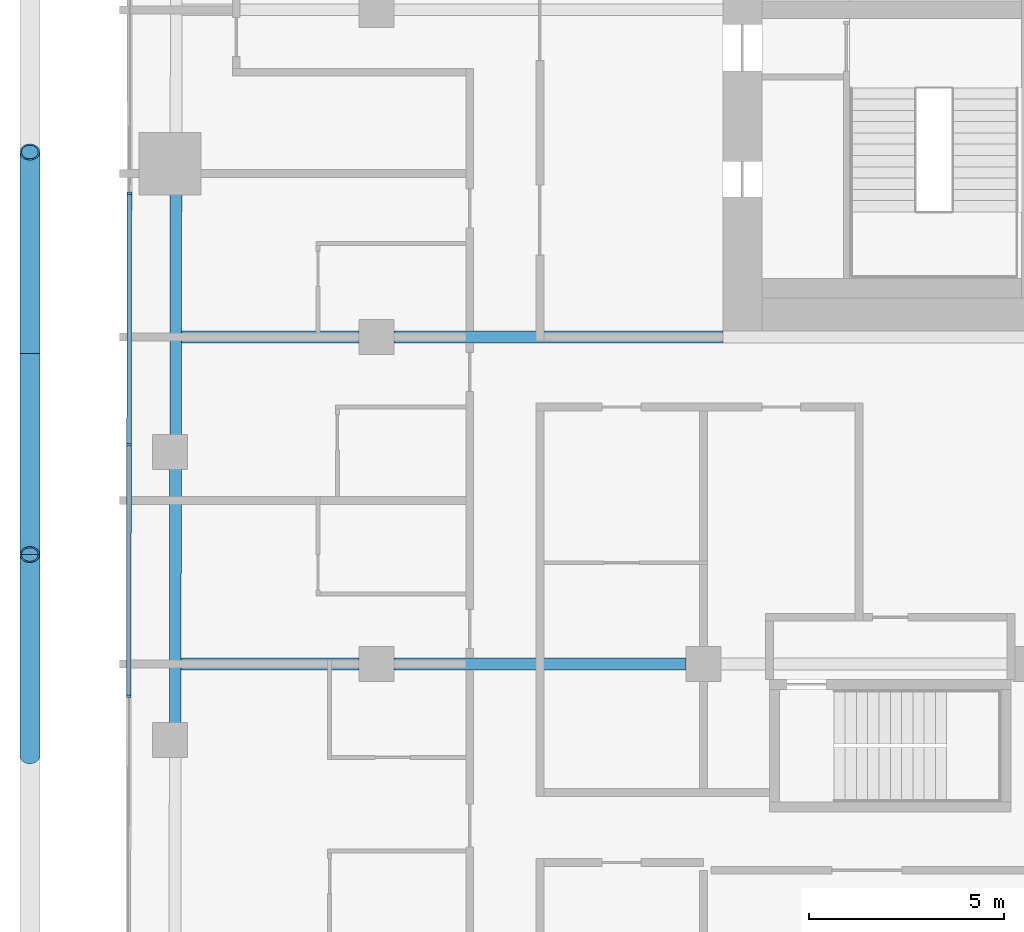
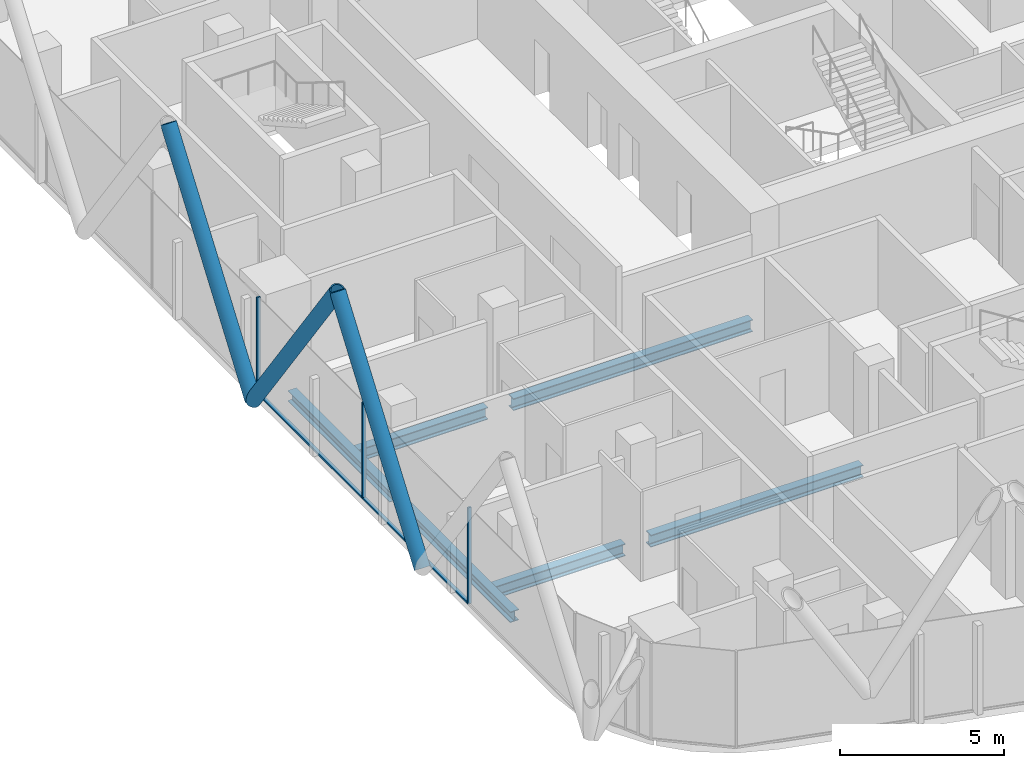
# One storey, part 4 of 33: 8 members, 6 beams, 1 element without a shape of its own.
"""IFC4 building model written with IfcOpenShell, lengths in metres."""

from ifc_helpers import new_model, si_unit, direction, frame, origin, origin_2d, place, context, subcontext, project, spatial, rectangle, hollow_circle, i_section, extrude, material, layer, layer_set, material_profile, profile_set, type_object, element, aggregate, save


model = new_model("IFC4")

# Units and contexts
model_context = context("Model", 3, precision=1e-05, world=origin(), true_north=direction((0.0, 1.0)))
body_context = subcontext(model_context, "Body", "Model", "MODEL_VIEW")
ifc_project = project(units=[si_unit("LENGTHUNIT", "METRE"), si_unit("AREAUNIT", "SQUARE_METRE"), si_unit("VOLUMEUNIT", "CUBIC_METRE"), si_unit("PLANEANGLEUNIT", "RADIAN"), si_unit("MASSUNIT", "GRAM", prefix="KILO")], contexts=[model_context])

# Site, building, storey
site_placement = place(None, origin())
site = spatial("IfcSite", under=ifc_project, at=site_placement, CompositionType="ELEMENT")
building_placement = place(site_placement, origin())
building = spatial("IfcBuilding", under=site, at=building_placement, Name="Marenta Gate Hotel Tower", CompositionType="ELEMENT")
storey_placement = place(building_placement, frame((0.0, 0.0, 137.300048828125)))
storey = spatial("IfcBuildingStorey", under=building, at=storey_placement, Name="L31", CompositionType="ELEMENT", Elevation=137.300048828125)

# Members
ifc_material_1 = material(Name="Steel S355J2W", Category="steel")
ifc_material_profile_1 = material_profile(ifc_material_1, hollow_circle(Radius=0.25390625, WallThickness=0.0400390625, at=origin_2d()), Name="CHS 508x40")
ifc_profile_set_1 = profile_set([ifc_material_profile_1], Name="Steel S355J2W")
member_type_1 = type_object("IfcMemberType", Name="Diagrid diagonal Z2 CHS 508x40", PredefinedType="BRACE", material=ifc_profile_set_1)
for number, where, z_axis, x_axis, name in (
    (1, (-29.89990234375, -10.760009765625, 3.139892578125), (0.0, 0.583260841117, 0.812284919975), (-1.0, 0.0, 0.0), "L31-DG-27"),
    (2, (-29.89990234375, -0.420166015625, 3.139892578125), (0.0, -0.583260841117, 0.812284919975), (1.0, 0.0, 0.0), "L31-DG-28"),
):
    element("IfcMember", number, at=place(storey_placement, frame(where, z_axis=z_axis, x_axis=x_axis)), inside=storey, type_object=member_type_1, Name=name, PredefinedType="BRACE", context=body_context, shape_type="SweptSolid", body=[
        extrude(hollow_circle(Radius=0.25390625, WallThickness=0.0400390625, at=origin_2d()), origin(), (0.0, 0.0, 1.0), 8.86376953125),
    ])
member_1_placement = place(storey_placement, frame((-29.89990234375, -0.420166015625, 3.139892578125), z_axis=(0.0, 0.583279014058, 0.812271870595), x_axis=(-1.0, 0.0, 0.0)))
element("IfcMember", 3, at=member_1_placement, inside=storey, type_object=member_type_1, Name="L31-DG-29", PredefinedType="BRACE", context=body_context, shape_type="SweptSolid", body=[
    extrude(hollow_circle(Radius=0.25390625, WallThickness=0.0400390625, at=origin_2d()), origin(), (0.0, 0.0, 1.0), 8.864013671875),
])

# Beams
ifc_material_2 = material(Name="Steel S355", Category="steel")
ifc_material_profile_2 = material_profile(ifc_material_2, i_section(OverallWidth=0.300048828125, OverallDepth=0.39990234375, WebThickness=0.013427734375, FlangeThickness=0.02392578125, FilletRadius=0.027099609375, at=origin_2d()), Name="HEB 400")
ifc_profile_set_2 = profile_set([ifc_material_profile_2], Name="Steel S355")
beam_type_1 = type_object("IfcBeamType", Name="Edge beam HEB 400", PredefinedType="SPANDREL", material=ifc_profile_set_2)
beam_1_placement = place(storey_placement, frame((-26.167236328125, -9.94189453125, -0.4599609375), z_axis=(0.001372605919, 0.999999057976, 0.0), x_axis=(-0.999999057976, 0.001372605919, 0.0)))
element("IfcBeam", 4, at=beam_1_placement, inside=storey, type_object=beam_type_1, Name="L31-EB-6", PredefinedType="SPANDREL", context=body_context, shape_type="SweptSolid", body=[
    extrude(i_section(OverallWidth=0.300048828125, OverallDepth=0.39990234375, WebThickness=0.013427734375, FlangeThickness=0.02392578125, FilletRadius=0.027099609375, at=origin_2d()), origin(), (0.0, 0.0, 1.0), 6.5810546875),
])
beam_2_placement = place(storey_placement, frame((-26.156982421875, -2.541015625, -0.4599609375), z_axis=(0.001371364591, 0.999999059679, 0.0), x_axis=(-0.999999059679, 0.001371364591, 0.0)))
element("IfcBeam", 5, at=beam_2_placement, inside=storey, type_object=beam_type_1, Name="L31-EB-7", PredefinedType="SPANDREL", context=body_context, shape_type="SweptSolid", body=[
    extrude(i_section(OverallWidth=0.300048828125, OverallDepth=0.39990234375, WebThickness=0.013427734375, FlangeThickness=0.02392578125, FilletRadius=0.027099609375, at=origin_2d()), origin(), (0.0, 0.0, 1.0), 6.23095703125),
])
ifc_material_3 = material(Name="Steel S355", Category="steel")
ifc_material_profile_3 = material_profile(ifc_material_3, i_section(OverallWidth=0.300048828125, OverallDepth=0.449951171875, WebThickness=0.013916015625, FlangeThickness=0.02587890625, FilletRadius=0.027099609375, at=origin_2d()), Name="HEB 450")
ifc_profile_set_3 = profile_set([ifc_material_profile_3], Name="Steel S355")
beam_type_2 = type_object("IfcBeamType", Name="Girder HEB 450", PredefinedType="BEAM", material=ifc_profile_set_3)
beam_3_placement = place(storey_placement, frame((-26.01513671875, -8.39990234375, -0.485107421875), z_axis=(1.0, 0.0, 0.0), x_axis=(0.0, 1.0, 0.0)))
element("IfcBeam", 6, at=beam_3_placement, inside=storey, type_object=beam_type_2, Name="L31-GD-8", PredefinedType="BEAM", context=body_context, shape_type="SweptSolid", body=[
    extrude(i_section(OverallWidth=0.300048828125, OverallDepth=0.449951171875, WebThickness=0.013916015625, FlangeThickness=0.02587890625, FilletRadius=0.027099609375, at=origin_2d()), origin(), (0.0, 0.0, 1.0), 4.565185546875),
])
beam_4_placement = place(storey_placement, frame((-20.550048828125, -8.39990234375, -0.485107421875), z_axis=(1.0, 0.0, 0.0), x_axis=(0.0, 1.0, 0.0)))
element("IfcBeam", 7, at=beam_4_placement, inside=storey, type_object=beam_type_2, Name="L31-GD-9", PredefinedType="BEAM", context=body_context, shape_type="SweptSolid", body=[
    extrude(i_section(OverallWidth=0.300048828125, OverallDepth=0.449951171875, WebThickness=0.013916015625, FlangeThickness=0.02587890625, FilletRadius=0.027099609375, at=origin_2d()), origin(), (0.0, 0.0, 1.0), 7.5),
])
beam_5_placement = place(storey_placement, frame((-26.003662109375, 0.0, -0.485107421875), z_axis=(1.0, 0.0, 0.0), x_axis=(0.0, 1.0, 0.0)))
element("IfcBeam", 8, at=beam_5_placement, inside=storey, type_object=beam_type_2, Name="L31-GD-15", PredefinedType="BEAM", context=body_context, shape_type="SweptSolid", body=[
    extrude(i_section(OverallWidth=0.300048828125, OverallDepth=0.449951171875, WebThickness=0.013916015625, FlangeThickness=0.02587890625, FilletRadius=0.027099609375, at=origin_2d()), origin(), (0.0, 0.0, 1.0), 4.5537109375),
])
beam_6_placement = place(storey_placement, frame((-20.550048828125, 0.0, -0.485107421875), z_axis=(1.0, 0.0, 0.0), x_axis=(0.0, 1.0, 0.0)))
element("IfcBeam", 9, at=beam_6_placement, inside=storey, type_object=beam_type_2, Name="L31-GD-16", PredefinedType="BEAM", context=body_context, shape_type="SweptSolid", body=[
    extrude(i_section(OverallWidth=0.300048828125, OverallDepth=0.449951171875, WebThickness=0.013916015625, FlangeThickness=0.02587890625, FilletRadius=0.027099609375, at=origin_2d()), origin(), (0.0, 0.0, 1.0), 8.449951171875),
])

# Curtain wall, members
ifc_material_4 = material(Name="Tinted insulated glass in bronze anodised frame", Category="glass")
ifc_layer = layer(ifc_material_4, 0.1201171875)
ifc_layer_set = layer_set([ifc_layer], Name="Tinted insulated glass in bronze anodised frame")
curtain_wall_type = type_object("IfcCurtainWallType", Name="Tower unitised curtain wall CW1", PredefinedType="NOTDEFINED", material=ifc_layer_set)
curtain_wall_placement = place(storey_placement, origin())
curtain_wall = element("IfcCurtainWall", 10, at=curtain_wall_placement, inside=storey, type_object=curtain_wall_type, Name="CW1 run G04", PredefinedType="NOTDEFINED")
ifc_material_5 = material(Name="Bronze anodised aluminium", Category="aluminium")
ifc_material_profile_4 = material_profile(ifc_material_5, rectangle(XDim=0.1201171875, YDim=0.06005859375, at=origin_2d()), Name="Mullion CW1 60x120 bronze anodised aluminium")
ifc_profile_set_4 = profile_set([ifc_material_profile_4], Name="Bronze anodised aluminium")
member_type_2 = type_object("IfcMemberType", Name="Mullion CW1 60x120 bronze anodised aluminium", PredefinedType="MULLION", material=ifc_profile_set_4)
member_2_placement = place(storey_placement, frame((-27.342529296875, 3.686279296875, 0.0), z_axis=(0.0, 0.0, 1.0), x_axis=(0.99999877375, -0.001566045546, 0.0)))
member_2 = element("IfcMember", 11, at=member_2_placement, type_object=member_type_2, Name="CW1 mullion 4", PredefinedType="MULLION", context=body_context, shape_type="SweptSolid", body=[
    extrude(rectangle(XDim=0.1201171875, YDim=0.06005859375, at=origin_2d()), origin(), (0.0, 0.0, 1.0), 3.599853515625),
])
member_3_placement = place(storey_placement, frame((-27.352783203125, -2.773681640625, 0.0), z_axis=(0.0, 0.0, 1.0), x_axis=(0.99999877375, -0.001566045546, 0.0)))
member_3 = element("IfcMember", 12, at=member_3_placement, type_object=member_type_2, Name="CW1 mullion 5", PredefinedType="MULLION", context=body_context, shape_type="SweptSolid", body=[
    extrude(rectangle(XDim=0.1201171875, YDim=0.06005859375, at=origin_2d()), origin(), (0.0, 0.0, 1.0), 3.599853515625),
])
member_4_placement = place(storey_placement, frame((-27.36279296875, -9.23388671875, 0.0), z_axis=(0.0, 0.0, 1.0), x_axis=(0.99999877375, -0.001566045546, 0.0)))
member_4 = element("IfcMember", 13, at=member_4_placement, type_object=member_type_2, Name="CW1 mullion 6", PredefinedType="MULLION", context=body_context, shape_type="SweptSolid", body=[
    extrude(rectangle(XDim=0.1201171875, YDim=0.06005859375, at=origin_2d()), origin(), (0.0, 0.0, 1.0), 3.599853515625),
])
ifc_material_6 = material(Name="Bronze anodised aluminium", Category="aluminium")
ifc_material_profile_5 = material_profile(ifc_material_6, rectangle(XDim=0.1201171875, YDim=0.06005859375, at=origin_2d()), Name="Transom CW1 60x120 bronze anodised aluminium")
ifc_profile_set_5 = profile_set([ifc_material_profile_5], Name="Bronze anodised aluminium")
member_type_3 = type_object("IfcMemberType", Name="Transom CW1 60x120 bronze anodised aluminium", PredefinedType="USERDEFINED", material=ifc_profile_set_5)
member_5_placement = place(storey_placement, frame((-27.3427734375, 3.65625, 0.030029296875), z_axis=(-0.001563988169, -0.99999877697, 0.0), x_axis=(0.99999877697, -0.001563988169, 0.0)))
member_5 = element("IfcMember", 14, at=member_5_placement, type_object=member_type_3, Name="CW1 transom 4.1", ObjectType="TRANSOM", PredefinedType="USERDEFINED", context=body_context, shape_type="SweptSolid", body=[
    extrude(rectangle(XDim=0.1201171875, YDim=0.06005859375, at=origin_2d()), origin(), (0.0, 0.0, 1.0), 6.400146484375),
])
member_6_placement = place(storey_placement, frame((-27.352783203125, -2.8037109375, 0.030029296875), z_axis=(-0.001563988169, -0.99999877697, 0.0), x_axis=(0.99999877697, -0.001563988169, 0.0)))
member_6 = element("IfcMember", 15, at=member_6_placement, type_object=member_type_3, Name="CW1 transom 5.1", ObjectType="TRANSOM", PredefinedType="USERDEFINED", context=body_context, shape_type="SweptSolid", body=[
    extrude(rectangle(XDim=0.1201171875, YDim=0.06005859375, at=origin_2d()), origin(), (0.0, 0.0, 1.0), 6.400146484375),
])
aggregate(curtain_wall, [member_2, member_3, member_4, member_5, member_6])

save(model, "model.ifc")
